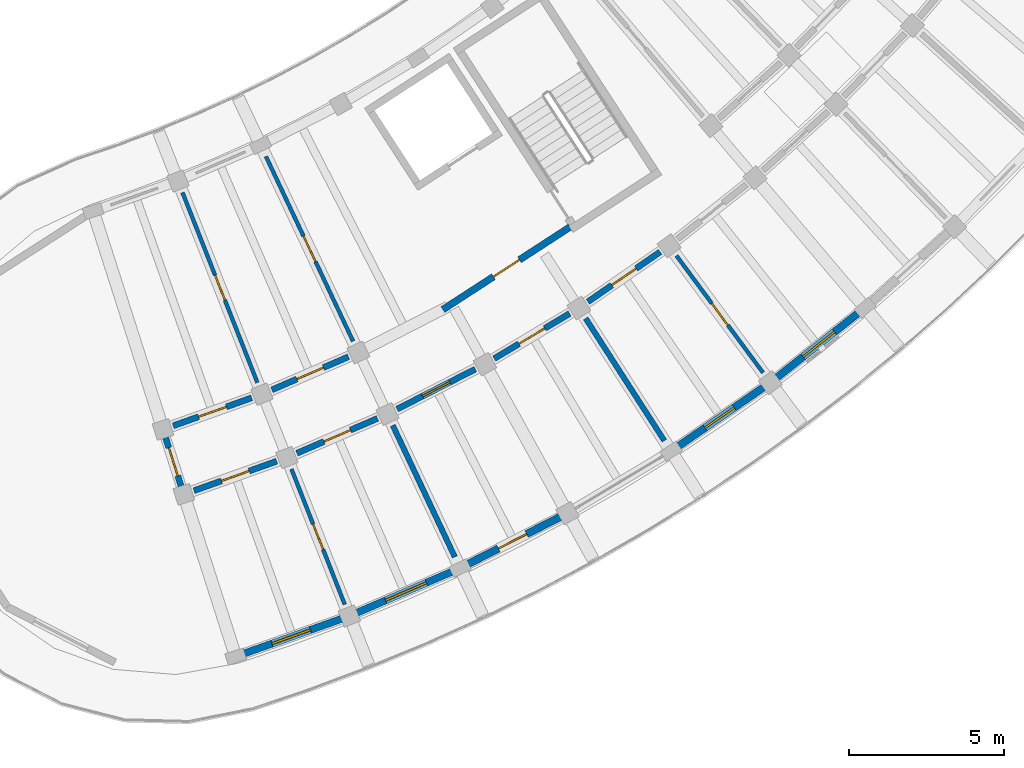
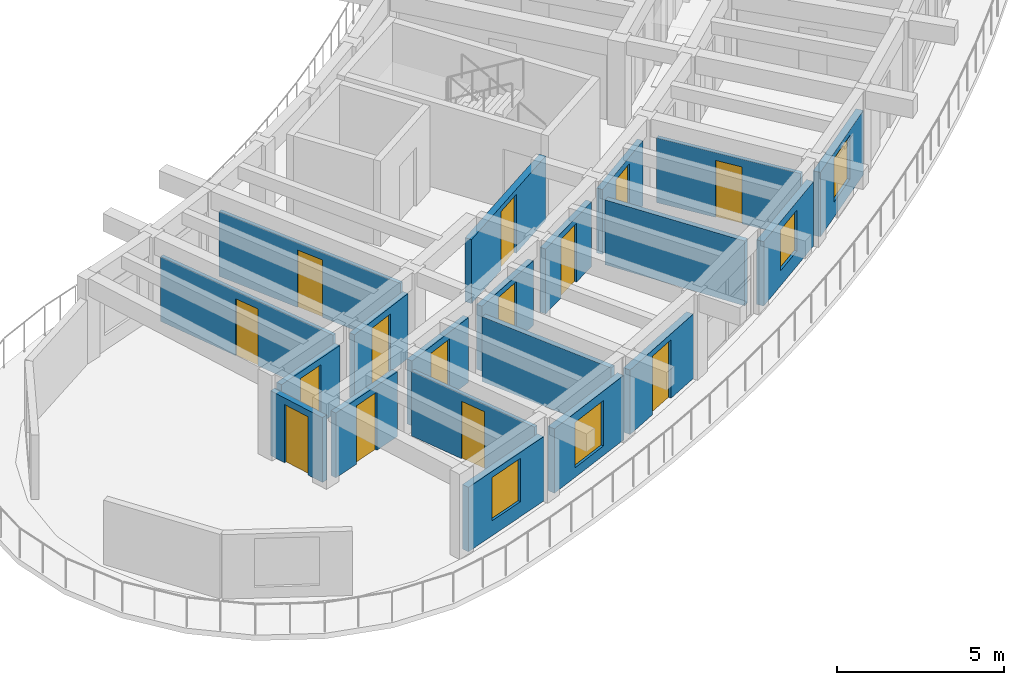
# One storey, part 48 of 78: 20 walls, 14 doors, 4 windows, 18 openings.
"""IFC4 building model written with IfcOpenShell, lengths in metres."""

from ifc_helpers import new_model, si_unit, direction, frame, frame_2d, origin, place, context, subcontext, project, spatial, rectangle, extrude, material, layer, layer_set, type_object, element, fill, save


model = new_model("IFC4")

# Units and contexts
model_context = context("Model", 3, precision=1e-05, world=origin(), true_north=direction((0.0, 1.0)))
body_context = subcontext(model_context, "Body", "Model", "MODEL_VIEW")
ifc_project = project(units=[si_unit("LENGTHUNIT", "METRE"), si_unit("AREAUNIT", "SQUARE_METRE"), si_unit("VOLUMEUNIT", "CUBIC_METRE"), si_unit("PLANEANGLEUNIT", "RADIAN"), si_unit("MASSUNIT", "GRAM", prefix="KILO")], contexts=[model_context])

# Site, building, storey
site_placement = place(None, origin())
site = spatial("IfcSite", under=ifc_project, at=site_placement, CompositionType="ELEMENT")
building_placement = place(site_placement, origin())
building = spatial("IfcBuilding", under=site, at=building_placement, Name="Tanwirah Colonnade Gardens", CompositionType="ELEMENT")
storey_placement = place(building_placement, frame((0.0, 0.0, 22.280029296875)))
storey = spatial("IfcBuildingStorey", under=building, at=storey_placement, Name="L06", CompositionType="ELEMENT", Elevation=22.280029296875)

# Wall, opening, window
ifc_material_1 = material(Name="Limestone architectural precast concrete C40/50", Category="masonry")
ifc_layer_1 = layer(ifc_material_1, 0.239990234375)
ifc_layer_set_1 = layer_set([ifc_layer_1], Name="Limestone architectural precast concrete C40/50")
wall_type_1 = type_object("IfcWallType", Name="EW-PC240", PredefinedType="SOLIDWALL", material=ifc_layer_set_1)
wall_1_placement = place(storey_placement, frame((139.305419921875, 7.838623046875, 0.0), z_axis=(0.0, 0.0, 1.0), x_axis=(0.941903386561, 0.335883923976, 0.0)))
wall_1 = element("IfcWall", 1, at=wall_1_placement, inside=storey, type_object=wall_type_1, Name="Block D L06 OUT Precast Facade Wall 1", PredefinedType="SOLIDWALL", context=body_context, shape_type="SweptSolid", body=[
    extrude(rectangle(XDim=3.48681640625, YDim=0.239990234375, at=frame_2d((1.743408203125, 0.0))), origin(), (0.0, 0.0, 1.0), 2.35498046875),
])
opening_1_placement = place(wall_1_placement, frame((1.08349609375, 0.0, 0.550048828125)))
opening_1 = element("IfcOpeningElement", 2, at=opening_1_placement, cuts=wall_1, Name="Opening WIN-U05", PredefinedType="OPENING", context=body_context, shape_type="SweptSolid", body=[
    extrude(rectangle(XDim=1.320068359375, YDim=1.5849609375, at=frame_2d((0.66015625, 0.79248046875))), frame((0.0, 0.1298828125, 0.0), z_axis=(0.0, -1.0, 0.0), x_axis=(1.0, 0.0, 0.0)), (0.0, 0.0, 1.0), 0.260009765625),
])
ifc_material_2 = material(Name="Thermally broken bronze aluminium and solar low-E double glazing", Category="aluminium")
window_type_1 = type_object("IfcWindowType", Name="WIN-U05", PartitioningType="DOUBLE_PANEL_VERTICAL", PredefinedType="WINDOW", material=ifc_material_2)
window_1_placement = place(opening_1_placement, origin())
window_1 = element("IfcWindow", 3, at=window_1_placement, inside=storey, type_object=window_type_1, Name="Facade window D-L06-OUT-01", OverallHeight=1.5849609375, OverallWidth=1.320068359375, PartitioningType="SINGLE_PANEL", PredefinedType="WINDOW", context=body_context, shape_type="SweptSolid", body=[
    extrude(rectangle(XDim=1.320068359375, YDim=1.5849609375, at=frame_2d((0.66015625, 0.79248046875))), frame((0.0, 0.030029296875, 0.0), z_axis=(0.0, -1.0, 0.0), x_axis=(1.0, 0.0, 0.0)), (0.0, 0.0, 1.0), 0.06005859375),
])
fill(opening_1, window_1)

wall_2_placement = place(storey_placement, frame((143.0546875, 9.19287109375, 0.0), z_axis=(0.0, 0.0, 1.0), x_axis=(0.917938367037, 0.396723019652, 0.0)))
wall_2 = element("IfcWall", 4, at=wall_2_placement, inside=storey, type_object=wall_type_1, Name="Block D L06 OUT Precast Facade Wall 2", PredefinedType="SOLIDWALL", context=body_context, shape_type="SweptSolid", body=[
    extrude(rectangle(XDim=3.48681640625, YDim=0.239990234375, at=frame_2d((1.743408203125, 0.0))), origin(), (0.0, 0.0, 1.0), 2.35498046875),
])
opening_2_placement = place(wall_2_placement, frame((1.0234375, 0.0, 0.35009765625)))
opening_2 = element("IfcOpeningElement", 5, at=opening_2_placement, cuts=wall_2, Name="Opening WIN-U08", PredefinedType="OPENING", context=body_context, shape_type="SweptSolid", body=[
    extrude(rectangle(XDim=1.43994140625, YDim=1.659912109375, at=frame_2d((0.719970703125, 0.830078125))), frame((0.0, 0.1298828125, 0.0), z_axis=(0.0, -1.0, 0.0), x_axis=(1.0, 0.0, 0.0)), (0.0, 0.0, 1.0), 0.260009765625),
])
window_type_2 = type_object("IfcWindowType", Name="WIN-U08", PartitioningType="DOUBLE_PANEL_VERTICAL", PredefinedType="WINDOW", material=ifc_material_2)
window_2_placement = place(opening_2_placement, origin())
window_2 = element("IfcWindow", 6, at=window_2_placement, inside=storey, type_object=window_type_2, Name="Facade window D-L06-OUT-02", OverallHeight=1.659912109375, OverallWidth=1.43994140625, PartitioningType="SINGLE_PANEL", PredefinedType="WINDOW", context=body_context, shape_type="SweptSolid", body=[
    extrude(rectangle(XDim=1.43994140625, YDim=1.659912109375, at=frame_2d((0.719970703125, 0.830078125))), frame((0.0, 0.030029296875, 0.0), z_axis=(0.0, -1.0, 0.0), x_axis=(1.0, 0.0, 0.0)), (0.0, 0.0, 1.0), 0.06005859375),
])
fill(opening_2, window_2)

# Wall, opening, door
wall_3_placement = place(storey_placement, frame((146.544677734375, 10.712646484375, 0.0), z_axis=(0.0, 0.0, 1.0), x_axis=(0.890001092753, 0.45595839163, 0.0)))
wall_3 = element("IfcWall", 7, at=wall_3_placement, inside=storey, type_object=wall_type_1, Name="Block D L06 OUT Precast Facade Wall 3", PredefinedType="SOLIDWALL", context=body_context, shape_type="SweptSolid", body=[
    extrude(rectangle(XDim=3.48681640625, YDim=0.239990234375, at=frame_2d((1.743408203125, 0.0))), origin(), (0.0, 0.0, 1.0), 2.35498046875),
])
opening_3_placement = place(wall_3_placement, frame((1.2333984375, 0.0, 0.0)))
opening_3 = element("IfcOpeningElement", 8, at=opening_3_placement, cuts=wall_3, Name="Opening L06-ED204", PredefinedType="OPENING", context=body_context, shape_type="SweptSolid", body=[
    extrude(rectangle(XDim=1.02001953125, YDim=2.139892578125, at=frame_2d((0.510009765625, 1.06982421875))), frame((0.0, 0.1298828125, 0.0), z_axis=(0.0, -1.0, 0.0), x_axis=(1.0, 0.0, 0.0)), (0.0, 0.0, 1.0), 0.260009765625),
])
ifc_material_3 = material(Name="Bronze aluminium glazed balcony door", Category="aluminium")
door_type_1 = type_object("IfcDoorType", Name="ED-BAL102", OperationType="NOTDEFINED", PredefinedType="DOOR", material=ifc_material_3)
door_1_placement = place(opening_3_placement, origin())
door_1 = element("IfcDoor", 9, at=door_1_placement, inside=storey, type_object=door_type_1, Name="Balcony glazed door L06-ED204", OperationType="SINGLE_SWING_RIGHT", OverallHeight=2.139892578125, OverallWidth=1.02001953125, PredefinedType="DOOR", context=body_context, shape_type="SweptSolid", body=[
    extrude(rectangle(XDim=1.02001953125, YDim=2.139892578125, at=frame_2d((0.510009765625, 1.06982421875))), frame((0.0, 0.02490234375, 0.0), z_axis=(0.0, -1.0, 0.0), x_axis=(1.0, 0.0, 0.0)), (0.0, 0.0, 1.0), 0.050048828125),
])
fill(opening_3, door_1)

# Wall, opening, window
wall_4_placement = place(storey_placement, frame((153.3466796875, 14.507080078125, 0.0), z_axis=(0.0, 0.0, 1.0), x_axis=(0.822902356734, 0.568182815017, 0.0)))
wall_4 = element("IfcWall", 10, at=wall_4_placement, inside=storey, type_object=wall_type_1, Name="Block D L06 OUT Precast Facade Wall 5", PredefinedType="SOLIDWALL", context=body_context, shape_type="SweptSolid", body=[
    extrude(rectangle(XDim=3.48681640625, YDim=0.239990234375, at=frame_2d((1.743408203125, 0.0))), origin(), (0.0, 0.0, 1.0), 2.35498046875),
])
opening_4_placement = place(wall_4_placement, frame((1.16845703125, 0.0, 0.550048828125)))
opening_4 = element("IfcOpeningElement", 11, at=opening_4_placement, cuts=wall_4, Name="Opening WIN-T01", PredefinedType="OPENING", context=body_context, shape_type="SweptSolid", body=[
    extrude(rectangle(XDim=1.14990234375, YDim=1.5, at=frame_2d((0.574951171875, 0.75))), frame((0.0, 0.1298828125, 0.0), z_axis=(0.0, -1.0, 0.0), x_axis=(1.0, 0.0, 0.0)), (0.0, 0.0, 1.0), 0.260009765625),
])
window_type_3 = type_object("IfcWindowType", Name="WIN-T01", PartitioningType="SINGLE_PANEL", PredefinedType="WINDOW", material=ifc_material_2)
window_3_placement = place(opening_4_placement, origin())
window_3 = element("IfcWindow", 12, at=window_3_placement, inside=storey, type_object=window_type_3, Name="Facade window D-L06-OUT-05", OverallHeight=1.5, OverallWidth=1.14990234375, PartitioningType="SINGLE_PANEL", PredefinedType="WINDOW", context=body_context, shape_type="SweptSolid", body=[
    extrude(rectangle(XDim=1.14990234375, YDim=1.5, at=frame_2d((0.574951171875, 0.75))), frame((0.0, 0.030029296875, 0.0), z_axis=(0.0, -1.0, 0.0), x_axis=(1.0, 0.0, 0.0)), (0.0, 0.0, 1.0), 0.06005859375),
])
fill(opening_4, window_3)

wall_5_placement = place(storey_placement, frame((156.61767578125, 16.78564453125, 0.0), z_axis=(0.0, 0.0, 1.0), x_axis=(0.78398760997, 0.620776471376, 0.0)))
wall_5 = element("IfcWall", 13, at=wall_5_placement, inside=storey, type_object=wall_type_1, Name="Block D L06 OUT Precast Facade Wall 6", PredefinedType="SOLIDWALL", context=body_context, shape_type="SweptSolid", body=[
    extrude(rectangle(XDim=3.48681640625, YDim=0.239990234375, at=frame_2d((1.743408203125, 0.0))), origin(), (0.0, 0.0, 1.0), 2.35498046875),
])
opening_5_placement = place(wall_5_placement, frame((1.093505859375, 0.0, 0.550048828125)))
opening_5 = element("IfcOpeningElement", 14, at=opening_5_placement, cuts=wall_5, Name="Opening WIN-T04", PredefinedType="OPENING", context=body_context, shape_type="SweptSolid", body=[
    extrude(rectangle(XDim=1.300048828125, YDim=1.60009765625, at=frame_2d((0.64990234375, 0.800048828125))), frame((0.0, 0.1298828125, 0.0), z_axis=(0.0, -1.0, 0.0), x_axis=(1.0, 0.0, 0.0)), (0.0, 0.0, 1.0), 0.260009765625),
])
window_type_4 = type_object("IfcWindowType", Name="WIN-T04", PartitioningType="DOUBLE_PANEL_VERTICAL", PredefinedType="WINDOW", material=ifc_material_2)
window_4_placement = place(opening_5_placement, origin())
window_4 = element("IfcWindow", 15, at=window_4_placement, inside=storey, type_object=window_type_4, Name="Facade window D-L06-OUT-06", OverallHeight=1.60009765625, OverallWidth=1.300048828125, PartitioningType="SINGLE_PANEL", PredefinedType="WINDOW", context=body_context, shape_type="SweptSolid", body=[
    extrude(rectangle(XDim=1.300048828125, YDim=1.60009765625, at=frame_2d((0.64990234375, 0.800048828125))), frame((0.0, 0.030029296875, 0.0), z_axis=(0.0, -1.0, 0.0), x_axis=(1.0, 0.0, 0.0)), (0.0, 0.0, 1.0), 0.06005859375),
])
fill(opening_5, window_4)

# Wall, opening, door
ifc_material_4 = material(Name="Precast concrete C40/50", Category="concrete")
ifc_layer_2 = layer(ifc_material_4, 0.195068359375)
ifc_layer_set_2 = layer_set([ifc_layer_2], Name="Precast concrete C40/50")
wall_type_2 = type_object("IfcWallType", Name="IW-CORR195", PredefinedType="PARTITIONING", material=ifc_layer_set_2)
wall_6_placement = place(storey_placement, frame((137.8076171875, 13.140625, 0.0), z_axis=(0.0, 0.0, 1.0), x_axis=(0.941930628611, 0.335807520589, 0.0)))
wall_6 = element("IfcWall", 16, at=wall_6_placement, inside=storey, type_object=wall_type_2, Name="Block D L06 OUT Corridor Wall 1", PredefinedType="PARTITIONING", context=body_context, shape_type="SweptSolid", body=[
    extrude(rectangle(XDim=2.8369140625, YDim=0.195068359375, at=frame_2d((1.41845703125, 0.0))), origin(), (0.0, 0.0, 1.0), 2.369873046875),
])
opening_6_placement = place(wall_6_placement, frame((0.943603515625, 0.0, 0.0)))
opening_6 = element("IfcOpeningElement", 17, at=opening_6_placement, cuts=wall_6, Name="Opening L06-AD1868", PredefinedType="OPENING", context=body_context, shape_type="SweptSolid", body=[
    extrude(rectangle(XDim=0.949951171875, YDim=2.1298828125, at=frame_2d((0.47509765625, 1.06494140625))), frame((0.0, 0.107421875, 0.0), z_axis=(0.0, -1.0, 0.0), x_axis=(1.0, 0.0, 0.0)), (0.0, 0.0, 1.0), 0.215087890625),
])
ifc_material_5 = material(Name="Solid oak fire-resisting apartment entrance door")
door_type_2 = type_object("IfcDoorType", Name="ID-FLT095", OperationType="NOTDEFINED", PredefinedType="DOOR", material=ifc_material_5)
door_2_placement = place(opening_6_placement, origin())
door_2 = element("IfcDoor", 18, at=door_2_placement, inside=storey, type_object=door_type_2, Name="Apartment corridor door L06-AD1868", OperationType="SINGLE_SWING_RIGHT", OverallHeight=2.1298828125, OverallWidth=0.949951171875, PredefinedType="DOOR", context=body_context, shape_type="SweptSolid", body=[
    extrude(rectangle(XDim=0.949951171875, YDim=2.1298828125, at=frame_2d((0.47509765625, 1.06494140625))), frame((0.0, 0.02490234375, 0.0), z_axis=(0.0, -1.0, 0.0), x_axis=(1.0, 0.0, 0.0)), (0.0, 0.0, 1.0), 0.050048828125),
])
fill(opening_6, door_2)

wall_7_placement = place(storey_placement, frame((137.136962890625, 15.23583984375, 0.0), z_axis=(0.0, 0.0, 1.0), x_axis=(0.941895652647, 0.335905611036, 0.0)))
wall_7 = element("IfcWall", 19, at=wall_7_placement, inside=storey, type_object=wall_type_2, Name="Block D L06 IN Corridor Wall 1", PredefinedType="PARTITIONING", context=body_context, shape_type="SweptSolid", body=[
    extrude(rectangle(XDim=2.69287109375, YDim=0.195068359375, at=frame_2d((1.346435546875, 0.0))), origin(), (0.0, 0.0, 1.0), 2.369873046875),
])
opening_7_placement = place(wall_7_placement, frame((0.87158203125, 0.0, 0.0)))
opening_7 = element("IfcOpeningElement", 20, at=opening_7_placement, cuts=wall_7, Name="Opening L06-AD1869", PredefinedType="OPENING", context=body_context, shape_type="SweptSolid", body=[
    extrude(rectangle(XDim=0.949951171875, YDim=2.1298828125, at=frame_2d((0.47509765625, 1.06494140625))), frame((0.0, 0.107421875, 0.0), z_axis=(0.0, -1.0, 0.0), x_axis=(1.0, 0.0, 0.0)), (0.0, 0.0, 1.0), 0.215087890625),
])
door_3_placement = place(opening_7_placement, origin())
door_3 = element("IfcDoor", 21, at=door_3_placement, inside=storey, type_object=door_type_2, Name="Apartment corridor door L06-AD1869", OperationType="SINGLE_SWING_LEFT", OverallHeight=2.1298828125, OverallWidth=0.949951171875, PredefinedType="DOOR", context=body_context, shape_type="SweptSolid", body=[
    extrude(rectangle(XDim=0.949951171875, YDim=2.1298828125, at=frame_2d((0.47509765625, 1.06494140625))), frame((0.0, 0.02490234375, 0.0), z_axis=(0.0, -1.0, 0.0), x_axis=(1.0, 0.0, 0.0)), (0.0, 0.0, 1.0), 0.050048828125),
])
fill(opening_7, door_3)

wall_8_placement = place(storey_placement, frame((141.130615234375, 14.349853515625, 0.0), z_axis=(0.0, 0.0, 1.0), x_axis=(0.917943439406, 0.396711282991, 0.0)))
wall_8 = element("IfcWall", 22, at=wall_8_placement, inside=storey, type_object=wall_type_2, Name="Block D L06 OUT Corridor Wall 2", PredefinedType="PARTITIONING", context=body_context, shape_type="SweptSolid", body=[
    extrude(rectangle(XDim=2.837158203125, YDim=0.195068359375, at=frame_2d((1.41845703125, 0.0))), origin(), (0.0, 0.0, 1.0), 2.369873046875),
])
opening_8_placement = place(wall_8_placement, frame((0.95361328125, 0.0, 0.0)))
opening_8 = element("IfcOpeningElement", 23, at=opening_8_placement, cuts=wall_8, Name="Opening L06-AD1872", PredefinedType="OPENING", context=body_context, shape_type="SweptSolid", body=[
    extrude(rectangle(XDim=0.929931640625, YDim=2.1201171875, at=frame_2d((0.46484375, 1.06005859375))), frame((0.0, 0.107421875, 0.0), z_axis=(0.0, -1.0, 0.0), x_axis=(1.0, 0.0, 0.0)), (0.0, 0.0, 1.0), 0.215087890625),
])
door_type_3 = type_object("IfcDoorType", Name="ID-FLT093", OperationType="NOTDEFINED", PredefinedType="DOOR", material=ifc_material_5)
door_4_placement = place(opening_8_placement, origin())
door_4 = element("IfcDoor", 24, at=door_4_placement, inside=storey, type_object=door_type_3, Name="Apartment corridor door L06-AD1872", OperationType="SINGLE_SWING_LEFT", OverallHeight=2.1201171875, OverallWidth=0.929931640625, PredefinedType="DOOR", context=body_context, shape_type="SweptSolid", body=[
    extrude(rectangle(XDim=0.929931640625, YDim=2.1201171875, at=frame_2d((0.46484375, 1.06005859375))), frame((0.0, 0.02490234375, 0.0), z_axis=(0.0, -1.0, 0.0), x_axis=(1.0, 0.0, 0.0)), (0.0, 0.0, 1.0), 0.050048828125),
])
fill(opening_8, door_4)

wall_9_placement = place(storey_placement, frame((140.324462890625, 16.396728515625, 0.0), z_axis=(0.0, 0.0, 1.0), x_axis=(0.91793557165, 0.39672948756, 0.0)))
wall_9 = element("IfcWall", 25, at=wall_9_placement, inside=storey, type_object=wall_type_2, Name="Block D L06 IN Corridor Wall 2", PredefinedType="PARTITIONING", context=body_context, shape_type="SweptSolid", body=[
    extrude(rectangle(XDim=2.69287109375, YDim=0.195068359375, at=frame_2d((1.346435546875, 0.0))), origin(), (0.0, 0.0, 1.0), 2.369873046875),
])
opening_9_placement = place(wall_9_placement, frame((0.881591796875, 0.0, 0.0)))
opening_9 = element("IfcOpeningElement", 26, at=opening_9_placement, cuts=wall_9, Name="Opening L06-AD1873", PredefinedType="OPENING", context=body_context, shape_type="SweptSolid", body=[
    extrude(rectangle(XDim=0.929931640625, YDim=2.1201171875, at=frame_2d((0.46484375, 1.06005859375))), frame((0.0, 0.107421875, 0.0), z_axis=(0.0, -1.0, 0.0), x_axis=(1.0, 0.0, 0.0)), (0.0, 0.0, 1.0), 0.215087890625),
])
door_5_placement = place(opening_9_placement, origin())
door_5 = element("IfcDoor", 27, at=door_5_placement, inside=storey, type_object=door_type_3, Name="Apartment corridor door L06-AD1873", OperationType="SINGLE_SWING_RIGHT", OverallHeight=2.1201171875, OverallWidth=0.929931640625, PredefinedType="DOOR", context=body_context, shape_type="SweptSolid", body=[
    extrude(rectangle(XDim=0.929931640625, YDim=2.1201171875, at=frame_2d((0.46484375, 1.06005859375))), frame((0.0, 0.02490234375, 0.0), z_axis=(0.0, -1.0, 0.0), x_axis=(1.0, 0.0, 0.0)), (0.0, 0.0, 1.0), 0.050048828125),
])
fill(opening_9, door_5)

wall_10_placement = place(storey_placement, frame((144.367431640625, 15.773681640625, 0.0), z_axis=(0.0, 0.0, 1.0), x_axis=(0.890030590607, 0.45590080915, 0.0)))
wall_10 = element("IfcWall", 28, at=wall_10_placement, inside=storey, type_object=wall_type_2, Name="Block D L06 OUT Corridor Wall 3", PredefinedType="PARTITIONING", context=body_context, shape_type="SweptSolid", body=[
    extrude(rectangle(XDim=2.837158203125, YDim=0.195068359375, at=frame_2d((1.41845703125, 0.0))), origin(), (0.0, 0.0, 1.0), 2.369873046875),
])
opening_10_placement = place(wall_10_placement, frame((0.923583984375, 0.0, 0.0)))
opening_10 = element("IfcOpeningElement", 29, at=opening_10_placement, cuts=wall_10, Name="Opening L06-AD1875", PredefinedType="OPENING", context=body_context, shape_type="SweptSolid", body=[
    extrude(rectangle(XDim=0.989990234375, YDim=2.159912109375, at=frame_2d((0.4951171875, 1.080078125))), frame((0.0, 0.107421875, 0.0), z_axis=(0.0, -1.0, 0.0), x_axis=(1.0, 0.0, 0.0)), (0.0, 0.0, 1.0), 0.215087890625),
])
door_type_4 = type_object("IfcDoorType", Name="ID-FLT099", OperationType="NOTDEFINED", PredefinedType="DOOR", material=ifc_material_5)
door_6_placement = place(opening_10_placement, origin())
door_6 = element("IfcDoor", 30, at=door_6_placement, inside=storey, type_object=door_type_4, Name="Apartment corridor door L06-AD1875", OperationType="SINGLE_SWING_RIGHT", OverallHeight=2.159912109375, OverallWidth=0.989990234375, PredefinedType="DOOR", context=body_context, shape_type="SweptSolid", body=[
    extrude(rectangle(XDim=0.989990234375, YDim=2.159912109375, at=frame_2d((0.4951171875, 1.080078125))), frame((0.0, 0.02490234375, 0.0), z_axis=(0.0, -1.0, 0.0), x_axis=(1.0, 0.0, 0.0)), (0.0, 0.0, 1.0), 0.050048828125),
])
fill(opening_10, door_6)

wall_11_placement = place(storey_placement, frame((147.50439453125, 17.406494140625, 0.0), z_axis=(0.0, 0.0, 1.0), x_axis=(0.858281647443, 0.51317892948, 0.0)))
wall_11 = element("IfcWall", 31, at=wall_11_placement, inside=storey, type_object=wall_type_2, Name="Block D L06 OUT Corridor Wall 4", PredefinedType="PARTITIONING", context=body_context, shape_type="SweptSolid", body=[
    extrude(rectangle(XDim=2.8369140625, YDim=0.195068359375, at=frame_2d((1.41845703125, 0.0))), origin(), (0.0, 0.0, 1.0), 2.369873046875),
])
opening_11_placement = place(wall_11_placement, frame((0.93359375, 0.0, 0.0)))
opening_11 = element("IfcOpeningElement", 32, at=opening_11_placement, cuts=wall_11, Name="Opening L06-AD1876", PredefinedType="OPENING", context=body_context, shape_type="SweptSolid", body=[
    extrude(rectangle(XDim=0.969970703125, YDim=2.14990234375, at=frame_2d((0.48486328125, 1.074951171875))), frame((0.0, 0.107421875, 0.0), z_axis=(0.0, -1.0, 0.0), x_axis=(1.0, 0.0, 0.0)), (0.0, 0.0, 1.0), 0.215087890625),
])
door_type_5 = type_object("IfcDoorType", Name="ID-FLT097", OperationType="NOTDEFINED", PredefinedType="DOOR", material=ifc_material_5)
door_7_placement = place(opening_11_placement, origin())
door_7 = element("IfcDoor", 33, at=door_7_placement, inside=storey, type_object=door_type_5, Name="Apartment corridor door L06-AD1876", OperationType="SINGLE_SWING_LEFT", OverallHeight=2.14990234375, OverallWidth=0.969970703125, PredefinedType="DOOR", context=body_context, shape_type="SweptSolid", body=[
    extrude(rectangle(XDim=0.969970703125, YDim=2.14990234375, at=frame_2d((0.48486328125, 1.074951171875))), frame((0.0, 0.02490234375, 0.0), z_axis=(0.0, -1.0, 0.0), x_axis=(1.0, 0.0, 0.0)), (0.0, 0.0, 1.0), 0.050048828125),
])
fill(opening_11, door_7)

wall_12_placement = place(storey_placement, frame((150.527587890625, 19.24072265625, 0.0), z_axis=(0.0, 0.0, 1.0), x_axis=(0.822870075235, 0.568229565653, 0.0)))
wall_12 = element("IfcWall", 34, at=wall_12_placement, inside=storey, type_object=wall_type_2, Name="Block D L06 OUT Corridor Wall 5", PredefinedType="PARTITIONING", context=body_context, shape_type="SweptSolid", body=[
    extrude(rectangle(XDim=2.8369140625, YDim=0.195068359375, at=frame_2d((1.41845703125, 0.0))), origin(), (0.0, 0.0, 1.0), 2.369873046875),
])
opening_12_placement = place(wall_12_placement, frame((0.943603515625, 0.0, 0.0)))
opening_12 = element("IfcOpeningElement", 35, at=opening_12_placement, cuts=wall_12, Name="Opening L06-AD1877", PredefinedType="OPENING", context=body_context, shape_type="SweptSolid", body=[
    extrude(rectangle(XDim=0.949951171875, YDim=2.1298828125, at=frame_2d((0.47509765625, 1.06494140625))), frame((0.0, 0.107421875, 0.0), z_axis=(0.0, -1.0, 0.0), x_axis=(1.0, 0.0, 0.0)), (0.0, 0.0, 1.0), 0.215087890625),
])
door_8_placement = place(opening_12_placement, origin())
door_8 = element("IfcDoor", 36, at=door_8_placement, inside=storey, type_object=door_type_2, Name="Apartment corridor door L06-AD1877", OperationType="SINGLE_SWING_RIGHT", OverallHeight=2.1298828125, OverallWidth=0.949951171875, PredefinedType="DOOR", context=body_context, shape_type="SweptSolid", body=[
    extrude(rectangle(XDim=0.949951171875, YDim=2.1298828125, at=frame_2d((0.47509765625, 1.06494140625))), frame((0.0, 0.02490234375, 0.0), z_axis=(0.0, -1.0, 0.0), x_axis=(1.0, 0.0, 0.0)), (0.0, 0.0, 1.0), 0.050048828125),
])
fill(opening_12, door_8)

wall_13_placement = place(storey_placement, frame((136.822509765625, 15.070556640625, 0.0), z_axis=(0.0, 0.0, 1.0), x_axis=(0.304834784779, -0.952405246725, 0.0)))
wall_13 = element("IfcWall", 37, at=wall_13_placement, inside=storey, type_object=wall_type_2, Name="Block D L06 CS Corner Suite Corridor Wall", PredefinedType="PARTITIONING", context=body_context, shape_type="SweptSolid", body=[
    extrude(rectangle(XDim=2.099853515625, YDim=0.195068359375, at=frame_2d((1.0498046875, 0.0))), origin(), (0.0, 0.0, 1.0), 2.369873046875),
])
opening_13_placement = place(wall_13_placement, frame((0.570068359375, 0.0, 0.0)))
opening_13 = element("IfcOpeningElement", 38, at=opening_13_placement, cuts=wall_13, Name="Opening L06-CD1900", PredefinedType="OPENING", context=body_context, shape_type="SweptSolid", body=[
    extrude(rectangle(XDim=0.949951171875, YDim=2.1298828125, at=frame_2d((0.47509765625, 1.06494140625))), frame((0.0, 0.107421875, 0.0), z_axis=(0.0, -1.0, 0.0), x_axis=(1.0, 0.0, 0.0)), (0.0, 0.0, 1.0), 0.215087890625),
])
door_9_placement = place(opening_13_placement, origin())
door_9 = element("IfcDoor", 39, at=door_9_placement, inside=storey, type_object=door_type_2, Name="Corner suite entrance door L06-CD1900", OperationType="SINGLE_SWING_LEFT", OverallHeight=2.1298828125, OverallWidth=0.949951171875, PredefinedType="DOOR", context=body_context, shape_type="SweptSolid", body=[
    extrude(rectangle(XDim=0.949951171875, YDim=2.1298828125, at=frame_2d((0.47509765625, 1.06494140625))), frame((0.0, 0.02490234375, 0.0), z_axis=(0.0, -1.0, 0.0), x_axis=(1.0, 0.0, 0.0)), (0.0, 0.0, 1.0), 0.050048828125),
])
fill(opening_13, door_9)

# Walls
ifc_layer_3 = layer(ifc_material_4, 0.175048828125)
ifc_layer_set_3 = layer_set([ifc_layer_3], Name="Precast concrete C40/50")
wall_type_3 = type_object("IfcWallType", Name="IW-DEM175", PredefinedType="PARTITIONING", material=ifc_layer_set_3)
for number, where, z_axis, x_axis, name in (
    (40, (144.2265625, 15.25244140625, 0.0), (0.0, 0.0, 1.0), (0.426567365945, -0.904455793453, 0.0), "Block D L06 Radial Partition 2"),
    (41, (150.4560546875, 18.705322265625, 0.0), (0.0, 0.0, 1.0), (0.540959731567, -0.84104849374, 0.0), "Block D L06 Radial Partition 4"),
):
    element("IfcWall", number, at=place(storey_placement, frame(where, z_axis=z_axis, x_axis=x_axis)), inside=storey, type_object=wall_type_3, Name=name, PredefinedType="PARTITIONING", context=body_context, shape_type="SweptSolid", body=[
        extrude(rectangle(XDim=4.699951171875, YDim=0.175048828125, at=frame_2d((2.35009765625, 0.0))), origin(), (0.0, 0.0, 1.0), 2.369873046875),
    ])

# Wall, opening, door
ifc_material_6 = material(Name="Autoclaved aerated masonry blockwork", Category="masonry")
ifc_layer_4 = layer(ifc_material_6, 0.219970703125)
ifc_layer_set_4 = layer_set([ifc_layer_4], Name="Autoclaved aerated masonry blockwork")
wall_type_4 = type_object("IfcWallType", Name="IW-FFL220", PredefinedType="PARTITIONING", material=ifc_layer_set_4)
wall_14_placement = place(storey_placement, frame((149.95458984375, 21.658203125, 0.0), z_axis=(0.0, 0.0, 1.0), x_axis=(-0.838681446513, -0.544622283124, 0.0)))
wall_14 = element("IfcWall", 42, at=wall_14_placement, inside=storey, type_object=wall_type_4, Name="CORE-D1 L06 Enclosed Lobby Fire Wall", PredefinedType="PARTITIONING", context=body_context, shape_type="SweptSolid", body=[
    extrude(rectangle(XDim=4.900146484375, YDim=0.219970703125, at=frame_2d((2.4501953125, 0.0))), origin(), (0.0, 0.0, 1.0), 2.340087890625),
])
opening_14_placement = place(wall_14_placement, frame((1.949951171875, 0.0, 0.0)))
opening_14 = element("IfcOpeningElement", 43, at=opening_14_placement, cuts=wall_14, Name="Opening L06-LD186", PredefinedType="OPENING", context=body_context, shape_type="SweptSolid", body=[
    extrude(rectangle(XDim=1.0, YDim=2.14990234375, at=frame_2d((0.5, 1.074951171875))), frame((0.0, 0.119873046875, 0.0), z_axis=(0.0, -1.0, 0.0), x_axis=(1.0, 0.0, 0.0)), (0.0, 0.0, 1.0), 0.239990234375),
])
ifc_material_7 = material(Name="Acoustic fire-resisting lobby door")
door_type_6 = type_object("IfcDoorType", Name="ID-FFL100", OperationType="NOTDEFINED", PredefinedType="DOOR", material=ifc_material_7)
door_10_placement = place(opening_14_placement, origin())
door_10 = element("IfcDoor", 44, at=door_10_placement, inside=storey, type_object=door_type_6, Name="CORE-D1 L06 Lobby Fire Door L06-LD186", OperationType="SINGLE_SWING_LEFT", OverallHeight=2.14990234375, OverallWidth=1.0, PredefinedType="DOOR", context=body_context, shape_type="SweptSolid", body=[
    extrude(rectangle(XDim=1.0, YDim=2.14990234375, at=frame_2d((0.5, 1.074951171875))), frame((0.0, 0.02490234375, 0.0), z_axis=(0.0, -1.0, 0.0), x_axis=(1.0, 0.0, 0.0)), (0.0, 0.0, 1.0), 0.050048828125),
])
fill(opening_14, door_10)

ifc_material_8 = material(Name="Moisture-resistant gypsum stud partition")
ifc_layer_5 = layer(ifc_material_8, 0.125)
ifc_layer_set_5 = layer_set([ifc_layer_5], Name="Moisture-resistant gypsum stud partition")
wall_type_5 = type_object("IfcWallType", Name="IW-INT125", PredefinedType="PARTITIONING", material=ifc_layer_set_5)
wall_15_placement = place(storey_placement, frame((140.9560546875, 13.8388671875, 0.0), z_axis=(0.0, 0.0, 1.0), x_axis=(0.366468650514, -0.930430399434, 0.0)))
wall_15 = element("IfcWall", 45, at=wall_15_placement, inside=storey, type_object=wall_type_5, Name="Block D L06 Radial Partition 1", PredefinedType="PARTITIONING", context=body_context, shape_type="SweptSolid", body=[
    extrude(rectangle(XDim=4.699951171875, YDim=0.125, at=frame_2d((2.35009765625, 0.0))), origin(), (0.0, 0.0, 1.0), 2.369873046875),
])
opening_15_placement = place(wall_15_placement, frame((1.905029296875, 0.0, 0.0)))
opening_15 = element("IfcOpeningElement", 46, at=opening_15_placement, cuts=wall_15, Name="Opening L06-RD1870", PredefinedType="OPENING", context=body_context, shape_type="SweptSolid", body=[
    extrude(rectangle(XDim=0.889892578125, YDim=2.10009765625, at=frame_2d((0.44482421875, 1.050048828125))), frame((0.0, 0.072509765625, 0.0), z_axis=(0.0, -1.0, 0.0), x_axis=(1.0, 0.0, 0.0)), (0.0, 0.0, 1.0), 0.14501953125),
])
ifc_material_9 = material(Name="Painted hardwood bedroom door", Category="wood")
door_type_7 = type_object("IfcDoorType", Name="ID-RM089", OperationType="NOTDEFINED", PredefinedType="DOOR", material=ifc_material_9)
door_11_placement = place(opening_15_placement, origin())
door_11 = element("IfcDoor", 47, at=door_11_placement, inside=storey, type_object=door_type_7, Name="Internal apartment door L06-RD1870", OperationType="SINGLE_SWING_RIGHT", OverallHeight=2.10009765625, OverallWidth=0.889892578125, PredefinedType="DOOR", context=body_context, shape_type="SweptSolid", body=[
    extrude(rectangle(XDim=0.889892578125, YDim=2.10009765625, at=frame_2d((0.44482421875, 1.050048828125))), frame((0.0, 0.02490234375, 0.0), z_axis=(0.0, -1.0, 0.0), x_axis=(1.0, 0.0, 0.0)), (0.0, 0.0, 1.0), 0.050048828125),
])
fill(opening_15, door_11)

wall_16_placement = place(storey_placement, frame((137.4375, 22.770751953125, 0.0), z_axis=(0.0, 0.0, 1.0), x_axis=(0.366512873936, -0.930412979939, 0.0)))
wall_16 = element("IfcWall", 48, at=wall_16_placement, inside=storey, type_object=wall_type_5, Name="Block D L06 Inner Radial Partition 1", PredefinedType="PARTITIONING", context=body_context, shape_type="SweptSolid", body=[
    extrude(rectangle(XDim=6.599853515625, YDim=0.125, at=frame_2d((3.2998046875, 0.0))), origin(), (0.0, 0.0, 1.0), 2.369873046875),
])
opening_16_placement = place(wall_16_placement, frame((2.864990234375, 0.0, 0.0)))
opening_16 = element("IfcOpeningElement", 49, at=opening_16_placement, cuts=wall_16, Name="Opening L06-RD1871", PredefinedType="OPENING", context=body_context, shape_type="SweptSolid", body=[
    extrude(rectangle(XDim=0.8701171875, YDim=2.080078125, at=frame_2d((0.43505859375, 1.0400390625))), frame((0.0, 0.072509765625, 0.0), z_axis=(0.0, -1.0, 0.0), x_axis=(1.0, 0.0, 0.0)), (0.0, 0.0, 1.0), 0.14501953125),
])
ifc_material_10 = material(Name="Painted hardwood study door", Category="wood")
door_type_8 = type_object("IfcDoorType", Name="ID-RM087", OperationType="NOTDEFINED", PredefinedType="DOOR", material=ifc_material_10)
door_12_placement = place(opening_16_placement, origin())
door_12 = element("IfcDoor", 50, at=door_12_placement, inside=storey, type_object=door_type_8, Name="Internal apartment door L06-RD1871", OperationType="SINGLE_SWING_LEFT", OverallHeight=2.080078125, OverallWidth=0.8701171875, PredefinedType="DOOR", context=body_context, shape_type="SweptSolid", body=[
    extrude(rectangle(XDim=0.8701171875, YDim=2.080078125, at=frame_2d((0.43505859375, 1.0400390625))), frame((0.0, 0.02490234375, 0.0), z_axis=(0.0, -1.0, 0.0), x_axis=(1.0, 0.0, 0.0)), (0.0, 0.0, 1.0), 0.050048828125),
])
fill(opening_16, door_12)

wall_17_placement = place(storey_placement, frame((140.131591796875, 23.935302734375, 0.0), z_axis=(0.0, 0.0, 1.0), x_axis=(0.426573573579, -0.904452865728, 0.0)))
wall_17 = element("IfcWall", 51, at=wall_17_placement, inside=storey, type_object=wall_type_5, Name="Block D L06 Inner Radial Partition 2", PredefinedType="PARTITIONING", context=body_context, shape_type="SweptSolid", body=[
    extrude(rectangle(XDim=6.60009765625, YDim=0.125, at=frame_2d((3.300048828125, 0.0))), origin(), (0.0, 0.0, 1.0), 2.369873046875),
])
opening_17_placement = place(wall_17_placement, frame((2.844970703125, 0.0, 0.0)))
opening_17 = element("IfcOpeningElement", 52, at=opening_17_placement, cuts=wall_17, Name="Opening L06-RD1874", PredefinedType="OPENING", context=body_context, shape_type="SweptSolid", body=[
    extrude(rectangle(XDim=0.909912109375, YDim=2.10009765625, at=frame_2d((0.455078125, 1.050048828125))), frame((0.0, 0.072509765625, 0.0), z_axis=(0.0, -1.0, 0.0), x_axis=(1.0, 0.0, 0.0)), (0.0, 0.0, 1.0), 0.14501953125),
])
ifc_material_11 = material(Name="Painted hardwood internal room door", Category="wood")
door_type_9 = type_object("IfcDoorType", Name="ID-RM091", OperationType="NOTDEFINED", PredefinedType="DOOR", material=ifc_material_11)
door_13_placement = place(opening_17_placement, origin())
door_13 = element("IfcDoor", 53, at=door_13_placement, inside=storey, type_object=door_type_9, Name="Internal apartment door L06-RD1874", OperationType="SINGLE_SWING_RIGHT", OverallHeight=2.10009765625, OverallWidth=0.909912109375, PredefinedType="DOOR", context=body_context, shape_type="SweptSolid", body=[
    extrude(rectangle(XDim=0.909912109375, YDim=2.10009765625, at=frame_2d((0.455078125, 1.050048828125))), frame((0.0, 0.02490234375, 0.0), z_axis=(0.0, -1.0, 0.0), x_axis=(1.0, 0.0, 0.0)), (0.0, 0.0, 1.0), 0.050048828125),
])
fill(opening_17, door_13)

wall_18_placement = place(storey_placement, frame((153.38818359375, 20.72998046875, 0.0), z_axis=(0.0, 0.0, 1.0), x_axis=(0.59482622273, -0.803854318116, 0.0)))
wall_18 = element("IfcWall", 54, at=wall_18_placement, inside=storey, type_object=wall_type_5, Name="Block D L06 Radial Partition 5", PredefinedType="PARTITIONING", context=body_context, shape_type="SweptSolid", body=[
    extrude(rectangle(XDim=4.699951171875, YDim=0.125, at=frame_2d((2.35009765625, 0.0))), origin(), (0.0, 0.0, 1.0), 2.369873046875),
])
opening_18_placement = place(wall_18_placement, frame((1.9150390625, 0.0, 0.0)))
opening_18 = element("IfcOpeningElement", 55, at=opening_18_placement, cuts=wall_18, Name="Opening L06-RD1878", PredefinedType="OPENING", context=body_context, shape_type="SweptSolid", body=[
    extrude(rectangle(XDim=0.8701171875, YDim=2.080078125, at=frame_2d((0.43505859375, 1.0400390625))), frame((0.0, 0.072509765625, 0.0), z_axis=(0.0, -1.0, 0.0), x_axis=(1.0, 0.0, 0.0)), (0.0, 0.0, 1.0), 0.14501953125),
])
door_14_placement = place(opening_18_placement, origin())
door_14 = element("IfcDoor", 56, at=door_14_placement, inside=storey, type_object=door_type_8, Name="Internal apartment door L06-RD1878", OperationType="SINGLE_SWING_RIGHT", OverallHeight=2.080078125, OverallWidth=0.8701171875, PredefinedType="DOOR", context=body_context, shape_type="SweptSolid", body=[
    extrude(rectangle(XDim=0.8701171875, YDim=2.080078125, at=frame_2d((0.43505859375, 1.0400390625))), frame((0.0, 0.02490234375, 0.0), z_axis=(0.0, -1.0, 0.0), x_axis=(1.0, 0.0, 0.0)), (0.0, 0.0, 1.0), 0.050048828125),
])
fill(opening_18, door_14)

save(model, "model.ifc")
